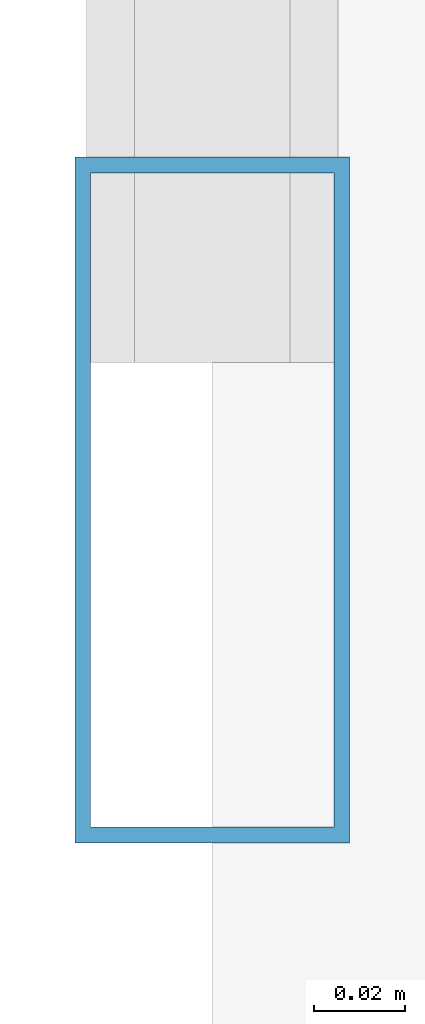
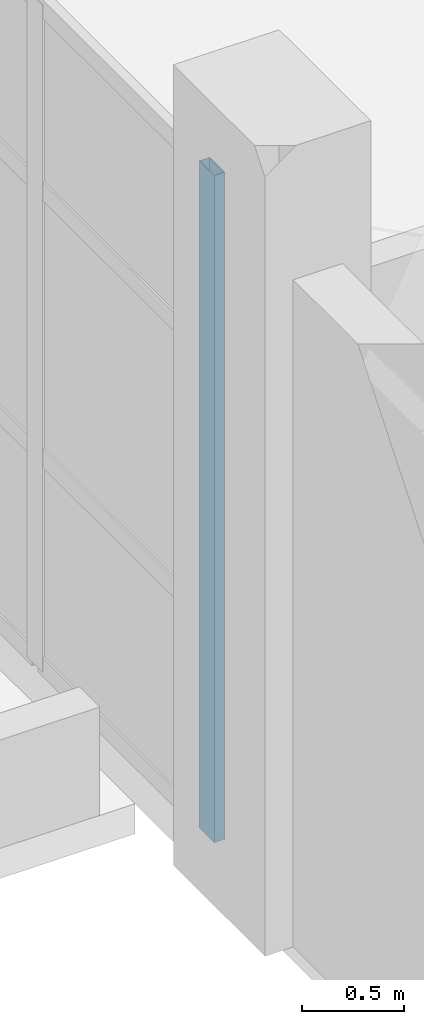
# One storey, part 19 of 63: 1 member, 1 element without a shape of its own.
"""IFC4 building model written with IfcOpenShell, lengths in metres."""

import ifcopenshell
import ifcopenshell.guid

model = None  # the IFC model being written
_history = None  # IfcOwnerHistory: only IFC2X3 demands one
_inside = {}  # id of a spatial element -> (the spatial element, [elements in it])
_under = {}  # id of a project, library or spatial element -> (it, [spatial elements below it])
_declared = {}  # id of a project -> (the project, [libraries it declares])
_typed = {}  # id of a type object -> (the type object, [elements of that type])
_made_of = {}  # id of a material, layer set ... -> (it, [elements and type objects made of it])


def new_model(schema):
    """Start an empty IFC model of exactly this schema.

    Asked for "IFC4X3", IfcOpenShell would pick the latest addendum, in which some entities
    have other attributes; the version numbers below select the first issue.
    IFC2X3 requires an IfcOwnerHistory on every rooted entity: one is made here for all.
    """
    global model, _history
    if schema == "IFC4X3":
        model = ifcopenshell.file(schema_version=(4, 3, 0, 0))
    else:
        model = ifcopenshell.file(schema=schema)
    _inside.clear()
    _under.clear()
    _declared.clear()
    _typed.clear()
    _made_of.clear()
    _history = None
    if model.schema == "IFC2X3":
        org = make("IfcOrganization", Name="unknown")
        user = make(
            "IfcPersonAndOrganization",
            ThePerson=make("IfcPerson", FamilyName="unknown"),
            TheOrganization=org,
        )
        app = make(
            "IfcApplication",
            ApplicationDeveloper=org,
            Version="unknown",
            ApplicationFullName="unknown",
            ApplicationIdentifier="unknown",
        )
        _history = make(
            "IfcOwnerHistory",
            OwningUser=user,
            OwningApplication=app,
            ChangeAction="ADDED",
            CreationDate=0,
        )
    return model


def make(cls, **values):
    """One entity of the class cls with the attributes given. An attribute that is None is left unset."""
    return model.create_entity(
        cls, **{name: value for name, value in values.items() if value is not None}
    )


def rooted(cls, **values):
    """An entity with a GlobalId (a new one), such as an element, a storey or a relation."""
    return make(cls, GlobalId=ifcopenshell.guid.new(), OwnerHistory=_history, **values)


def si_unit(unit_type, name, prefix=None):
    """IfcSIUnit, for example si_unit("LENGTHUNIT", "METRE", prefix="MILLI")."""
    return make("IfcSIUnit", UnitType=unit_type, Prefix=prefix, Name=name)


def assignment(units):
    """IfcUnitAssignment: the units of a project."""
    return None if units is None else make("IfcUnitAssignment", Units=units)


def point(xyz):
    """IfcCartesianPoint."""
    return None if xyz is None else make("IfcCartesianPoint", Coordinates=xyz)


def direction(xyz):
    """IfcDirection."""
    return None if xyz is None else make("IfcDirection", DirectionRatios=xyz)


def frame(location, z_axis=None, x_axis=None):
    """IfcAxis2Placement3D, a coordinate frame: its origin and axes. An axis left out is left unset."""
    return make(
        "IfcAxis2Placement3D",
        Location=point(location),
        Axis=direction(z_axis),
        RefDirection=direction(x_axis),
    )


def frame_2d(location, x_axis=None):
    """IfcAxis2Placement2D, a coordinate frame in the plane: its origin and x axis."""
    return make(
        "IfcAxis2Placement2D", Location=point(location), RefDirection=direction(x_axis)
    )


def origin():
    """The frame at (0, 0, 0) with its axes left unset."""
    return frame((0.0, 0.0, 0.0))


def origin_2d():
    """The frame at (0, 0) in the plane with its x axis left unset."""
    return frame_2d((0.0, 0.0))


def place(relative_to, where):
    """IfcLocalPlacement: puts the frame where relative to a parent placement (None: the world)."""
    return make(
        "IfcLocalPlacement", PlacementRelTo=relative_to, RelativePlacement=where
    )


def context(
    kind, dimensions, precision=None, world=None, true_north=None, identifier=None
):
    """IfcGeometricRepresentationContext, for example the 3D "Model" context."""
    return make(
        "IfcGeometricRepresentationContext",
        ContextIdentifier=identifier,
        ContextType=kind,
        CoordinateSpaceDimension=dimensions,
        Precision=precision,
        WorldCoordinateSystem=world,
        TrueNorth=true_north,
    )


def subcontext(parent, identifier, kind, view, scale=None):
    """IfcGeometricRepresentationSubContext, for example "Body" below "Model"."""
    return make(
        "IfcGeometricRepresentationSubContext",
        ContextIdentifier=identifier,
        ContextType=kind,
        ParentContext=parent,
        TargetScale=scale,
        TargetView=view,
    )


def project(units=None, contexts=None):
    """IfcProject with its units and contexts."""
    return rooted(
        "IfcProject",
        Name="project",
        RepresentationContexts=contexts,
        UnitsInContext=assignment(units),
    )


def spatial(cls, under=None, at=None, **own):
    """A site, building, storey or space (cls), placed at a placement, below another one or the project."""
    s = rooted(cls, ObjectPlacement=at, **own)
    if under is not None:
        _under.setdefault(under.id(), (under, []))[1].append(s)
    return s


def profile(cls, at=None, kind="AREA", **sizes):
    """A parametric profile (cls). Its sizes go by their IFC names, for example OverallWidth=200.0."""
    return make(cls, ProfileType=kind, Position=at, **sizes)


def hollow_rectangle(**sizes):
    """IfcRectangleHollowProfileDef."""
    return profile("IfcRectangleHollowProfileDef", **sizes)


def extrude(swept, where, along, depth):
    """IfcExtrudedAreaSolid: the profile swept, set in the frame where, extruded along a direction by depth."""
    return make(
        "IfcExtrudedAreaSolid",
        SweptArea=swept,
        Position=where,
        ExtrudedDirection=direction(along),
        Depth=depth,
    )


def shape(context_of_items, identifier, shape_type, items):
    """IfcShapeRepresentation: the items that make up one representation, for example the "Body"."""
    return make(
        "IfcShapeRepresentation",
        ContextOfItems=context_of_items,
        RepresentationIdentifier=identifier,
        RepresentationType=shape_type,
        Items=items,
    )


def material(Name=None, Category=None):
    """IfcMaterial."""
    return make("IfcMaterial", Name=Name, Category=Category)


def layer(
    of_material, thickness, ventilated=None, Name=None, Category=None, Priority=None
):
    """IfcMaterialLayer: one layer of a wall or slab, of a material (None: an air gap)."""
    return make(
        "IfcMaterialLayer",
        Material=of_material,
        LayerThickness=thickness,
        IsVentilated=ventilated,
        Name=Name,
        Category=Category,
        Priority=Priority,
    )


def layer_set(layers, Name=None):
    """IfcMaterialLayerSet."""
    return make("IfcMaterialLayerSet", MaterialLayers=layers, LayerSetName=Name)


def material_profile(
    of_material, cross_section, Name=None, Category=None, Priority=None
):
    """IfcMaterialProfile: a cross section and its material."""
    return make(
        "IfcMaterialProfile",
        Name=Name,
        Material=of_material,
        Profile=cross_section,
        Priority=Priority,
        Category=Category,
    )


def profile_set(profiles, Name=None, composite=None):
    """IfcMaterialProfileSet."""
    return make(
        "IfcMaterialProfileSet",
        Name=Name,
        MaterialProfiles=profiles,
        CompositeProfile=composite,
    )


def made_of(thing, what):
    """Note that an element or type object is made of a material, layer set ...; save() writes the relation."""
    if what is not None:
        _made_of.setdefault(what.id(), (what, []))[1].append(thing)
    return thing


def type_object(cls, material=None, **own):
    """A type object (cls), such as IfcWallType, which elements share."""
    return made_of(rooted(cls, **own), material)


def element(
    cls,
    number,
    at=None,
    inside=None,
    cuts=None,
    type_object=None,
    material=None,
    context=None,
    identifier="Body",
    shape_type=None,
    held_by="IfcProductDefinitionShape",
    body=None,
    shapes=None,
    **own,
):
    """One element of the class cls, such as IfcWall. Its Tag is "e" and its number.

    at: its placement. inside: the storey or other place that contains it. cuts: it is an
    opening in that element (IfcRelVoidsElement). A single representation is given by context,
    identifier, shape_type and body (its items); several are given by shapes. held_by: the class
    of the entity that holds the representations. save() writes the other relations.
    """
    e = rooted(cls, Tag="e%d" % number, ObjectPlacement=at, **own)
    if body is not None:
        shapes = [shape(context, identifier, shape_type, body)]
    if shapes is not None:
        e.Representation = make(held_by, Representations=shapes)
    if inside is not None:
        _inside.setdefault(inside.id(), (inside, []))[1].append(e)
    if cuts is not None:
        rooted(
            "IfcRelVoidsElement", RelatingBuildingElement=cuts, RelatedOpeningElement=e
        )
    if type_object is not None:
        _typed.setdefault(type_object.id(), (type_object, []))[1].append(e)
    return made_of(e, material)


def aggregate(whole, parts):
    """IfcRelAggregates: a whole, such as a stair, and the parts it consists of."""
    return rooted("IfcRelAggregates", RelatingObject=whole, RelatedObjects=parts)


def save(model, path):
    """Write the relations noted so far, then the file.

    IfcRelAggregates (storeys below a building ...), IfcRelContainedInSpatialStructure (elements
    in a storey), IfcRelDefinesByType, IfcRelAssociatesMaterial and IfcRelDeclares: one each for
    every whole, place, type object, material and project.
    """
    for whole, parts in _under.values():
        aggregate(whole, parts)
    for where, things in _inside.values():
        rooted(
            "IfcRelContainedInSpatialStructure",
            RelatedElements=things,
            RelatingStructure=where,
        )
    for kind, things in _typed.values():
        rooted("IfcRelDefinesByType", RelatedObjects=things, RelatingType=kind)
    for what, things in _made_of.values():
        rooted("IfcRelAssociatesMaterial", RelatedObjects=things, RelatingMaterial=what)
    for by, libraries in _declared.values():
        rooted("IfcRelDeclares", RelatingContext=by, RelatedDefinitions=libraries)
    model.write(path)


model = new_model("IFC4")

# Units and contexts
model_context = context("Model", 3, precision=1e-05, world=origin(), true_north=direction((0.0, 1.0)))
body_context = subcontext(model_context, "Body", "Model", "MODEL_VIEW")
ifc_project = project(units=[si_unit("LENGTHUNIT", "METRE"), si_unit("AREAUNIT", "SQUARE_METRE"), si_unit("VOLUMEUNIT", "CUBIC_METRE"), si_unit("PLANEANGLEUNIT", "RADIAN"), si_unit("MASSUNIT", "GRAM", prefix="KILO")], contexts=[model_context])

# Site, building, storey
site_placement = place(None, origin())
site = spatial("IfcSite", under=ifc_project, at=site_placement, CompositionType="ELEMENT")
building_placement = place(site_placement, origin())
building = spatial("IfcBuilding", under=site, at=building_placement, Name="Canggui Botanical Conservatory", CompositionType="ELEMENT")
storey_placement = place(building_placement, frame((0.0, 0.0, 10.199951171875)))
storey = spatial("IfcBuildingStorey", under=building, at=storey_placement, Name="L03", CompositionType="ELEMENT", Elevation=10.199951171875)

# Curtain wall, member
ifc_material = material(Name="Thermally Broken Aluminium", Category="aluminium")
ifc_layer = layer(ifc_material, 0.14990234375, Name="Thermally Broken Aluminium", Category="aluminium")
ifc_layer_set = layer_set([ifc_layer], Name="Thermally Broken Aluminium")
curtain_wall_type = type_object("IfcCurtainWallType", Name="CW-UNIT-C", PredefinedType="USERDEFINED", material=ifc_layer_set)
curtain_wall_placement = place(storey_placement, origin())
curtain_wall = element("IfcCurtainWall", 1, at=curtain_wall_placement, inside=storey, type_object=curtain_wall_type, Name="Facade Curtain Wall CW-TWR-L03-13", ObjectType="UNITISED CURTAIN WALL", PredefinedType="USERDEFINED")
ifc_material_profile = material_profile(ifc_material, hollow_rectangle(XDim=0.06005859375, YDim=0.14990234375, WallThickness=0.00341796875, at=origin_2d()), Name="CWM 60x150x3.5")
ifc_profile_set = profile_set([ifc_material_profile], Name="Thermally Broken Aluminium")
member_type = type_object("IfcMemberType", Name="CWM-03", PredefinedType="MULLION", material=ifc_profile_set)
member_placement = place(storey_placement, frame((130.0, 74.590087890625, 0.0), z_axis=(0.0, 0.0, 1.0), x_axis=(-1.0, 0.0, 0.0)))
member = element("IfcMember", 2, at=member_placement, type_object=member_type, Name="CW-03 mullion 1", PredefinedType="MULLION", context=body_context, shape_type="SweptSolid", body=[
    extrude(hollow_rectangle(XDim=0.06005859375, YDim=0.14990234375, WallThickness=0.00341796875, at=origin_2d()), origin(), (0.0, 0.0, 1.0), 4.0),
])
aggregate(curtain_wall, [member])

save(model, "model.ifc")
